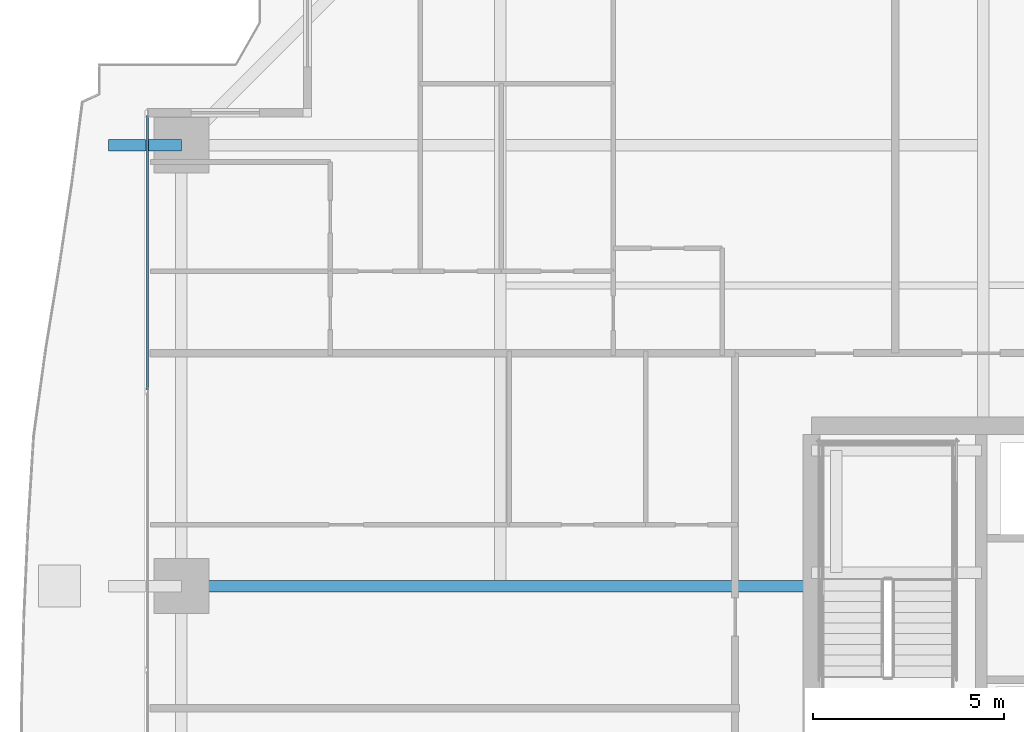
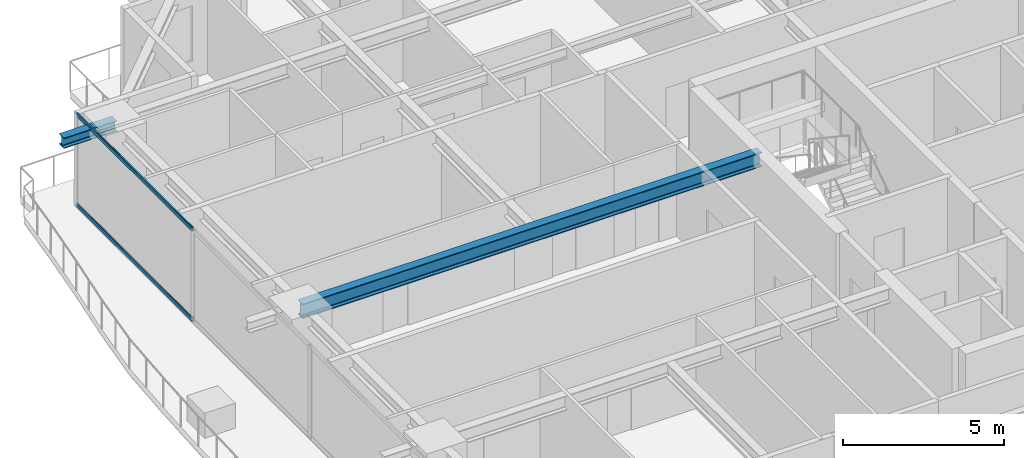
# One storey, part 16 of 39: 2 beams, 2 members, 1 element without a shape of its own.
"""IFC4 building model written with IfcOpenShell, lengths in metres."""

from ifc_helpers import new_model, si_unit, direction, frame, origin, origin_2d, place, context, subcontext, project, spatial, hollow_rectangle, i_section, extrude, source, transform, mapped, material, layer, layer_set, material_profile, profile_set, type_object, element, aggregate, save


model = new_model("IFC4")

# Units and contexts
model_context = context("Model", 3, precision=1e-05, world=origin(), true_north=direction((0.0, 1.0)))
body_context = subcontext(model_context, "Body", "Model", "MODEL_VIEW")
ifc_project = project(units=[si_unit("LENGTHUNIT", "METRE"), si_unit("AREAUNIT", "SQUARE_METRE"), si_unit("VOLUMEUNIT", "CUBIC_METRE"), si_unit("PLANEANGLEUNIT", "RADIAN"), si_unit("MASSUNIT", "GRAM", prefix="KILO")], contexts=[model_context])

# Site, building, storey
site_placement = place(None, origin())
site = spatial("IfcSite", under=ifc_project, at=site_placement, CompositionType="ELEMENT")
building_placement = place(site_placement, origin())
building = spatial("IfcBuilding", under=site, at=building_placement, Name="Serunith Strait Residences", CompositionType="ELEMENT")
storey_placement = place(building_placement, frame((0.0, 0.0, 60.449951171875)))
storey = spatial("IfcBuildingStorey", under=building, at=storey_placement, Name="L14", CompositionType="ELEMENT", Elevation=60.449951171875)

# Beams
ifc_material_1 = material(Name="Steel S355J2", Category="steel")
ifc_material_profile_1 = material_profile(ifc_material_1, i_section(OverallWidth=0.300048828125, OverallDepth=0.550048828125, WebThickness=0.014892578125, FlangeThickness=0.029052734375, FilletRadius=0.027099609375, at=origin_2d()), Name="HEB 550")
ifc_profile_set_1 = profile_set([ifc_material_profile_1], Name="Steel S355J2")
beam_type_1 = type_object("IfcBeamType", Name="BM-HEB550", PredefinedType="BEAM", material=ifc_profile_set_1)
shared_shape_1 = source(origin(), body_context, "Body", "SweptSolid", [
    extrude(i_section(OverallWidth=0.300048828125, OverallDepth=0.550048828125, WebThickness=0.014892578125, FlangeThickness=0.029052734375, FilletRadius=0.027099609375, at=origin_2d()), origin(), (0.0, 0.0, 1.0), 16.5),
])
beam_1_placement = place(storey_placement, frame((23.39990234375, 29.39990234375, 3.212158203125), z_axis=(-1.0, 0.0, 0.0), x_axis=(0.0, -1.0, 0.0)))
element("IfcBeam", 1, at=beam_1_placement, inside=storey, type_object=beam_type_1, Name="L14 Primary Floor Girder TC-W3", PredefinedType="BEAM", context=body_context, shape_type="MappedRepresentation", body=[
    mapped(shared_shape_1, transform((0.0, 0.0, 0.0), scale=1.0)),
])
ifc_material_profile_2 = material_profile(ifc_material_1, i_section(OverallWidth=0.300048828125, OverallDepth=0.39990234375, WebThickness=0.013427734375, FlangeThickness=0.02392578125, FilletRadius=0.027099609375, at=origin_2d()), Name="HEB 400")
ifc_profile_set_2 = profile_set([ifc_material_profile_2], Name="Steel S355J2")
beam_type_2 = type_object("IfcBeamType", Name="BM-HEB400", PredefinedType="BEAM", material=ifc_profile_set_2)
shared_shape_2 = source(origin(), body_context, "Body", "SweptSolid", [
    extrude(i_section(OverallWidth=0.300048828125, OverallDepth=0.39990234375, WebThickness=0.013427734375, FlangeThickness=0.02392578125, FilletRadius=0.027099609375, at=origin_2d()), origin(), (0.0, 0.0, 1.0), 1.909912109375),
])
beam_2_placement = place(storey_placement, frame((6.89990234375, 40.949951171875, 3.257080078125), z_axis=(-1.0, 0.0, 0.0), x_axis=(0.0, -1.0, 0.0)))
element("IfcBeam", 2, at=beam_2_placement, inside=storey, type_object=beam_type_2, Name="L15 Cantilevered Balcony Rib TC-W4", PredefinedType="BEAM", context=body_context, shape_type="MappedRepresentation", body=[
    mapped(shared_shape_2, transform((0.0, 0.0, 0.0), scale=1.0)),
])

# Curtain wall, members
ifc_material_2 = material(Name="Pale-Champagne Anodised Aluminium", Category="aluminium")
ifc_layer = layer(ifc_material_2, 0.199951171875, Name="Pale-Champagne Anodised Aluminium")
ifc_layer_set = layer_set([ifc_layer], Name="Pale-Champagne Anodised Aluminium")
curtain_wall_type = type_object("IfcCurtainWallType", Name="CW-SYS1", PredefinedType="NOTDEFINED", material=ifc_layer_set)
curtain_wall_placement = place(storey_placement, origin())
curtain_wall = element("IfcCurtainWall", 3, at=curtain_wall_placement, inside=storey, type_object=curtain_wall_type, Name="L14 W Unitised Fritted Curtain Wall", PredefinedType="NOTDEFINED")
ifc_material_profile_3 = material_profile(ifc_material_2, hollow_rectangle(XDim=0.06005859375, YDim=0.159912109375, WallThickness=0.00341796875, InnerFilletRadius=0.00537109375, OuterFilletRadius=0.0087890625, at=origin_2d()), Name="ALU 160x60x3.5")
ifc_profile_set_3 = profile_set([ifc_material_profile_3], Name="Pale-Champagne Anodised Aluminium")
member_type = type_object("IfcMemberType", Name="CW-SYS1-TRAN", PredefinedType="USERDEFINED", material=ifc_profile_set_3)
shared_shape_3 = source(origin(), body_context, "Body", "SweptSolid", [
    extrude(hollow_rectangle(XDim=0.06005859375, YDim=0.159912109375, WallThickness=0.00341796875, InnerFilletRadius=0.00537109375, OuterFilletRadius=0.0087890625, at=origin_2d()), origin(), (0.0, 0.0, 1.0), 7.195068359375),
])
member_1_placement = place(storey_placement, frame((6.0, 41.72998046875, 0.030029296875), z_axis=(0.0, -1.0, 0.0), x_axis=(1.0, 0.0, 0.0)))
member_1 = element("IfcMember", 4, at=member_1_placement, type_object=member_type, Name="CW-1 transom 1.1", ObjectType="TRANSOM", PredefinedType="USERDEFINED", context=body_context, shape_type="MappedRepresentation", body=[
    mapped(shared_shape_3, transform((0.0, 0.0, 0.0), scale=1.0)),
])
member_2_placement = place(storey_placement, frame((6.0, 41.72998046875, 3.445068359375), z_axis=(0.0, -1.0, 0.0), x_axis=(1.0, 0.0, 0.0)))
member_2 = element("IfcMember", 5, at=member_2_placement, type_object=member_type, Name="CW-1 transom 1.2", ObjectType="TRANSOM", PredefinedType="USERDEFINED", context=body_context, shape_type="MappedRepresentation", body=[
    mapped(shared_shape_3, transform((0.0, 0.0, 0.0), scale=1.0)),
])
aggregate(curtain_wall, [member_1, member_2])

save(model, "model.ifc")
